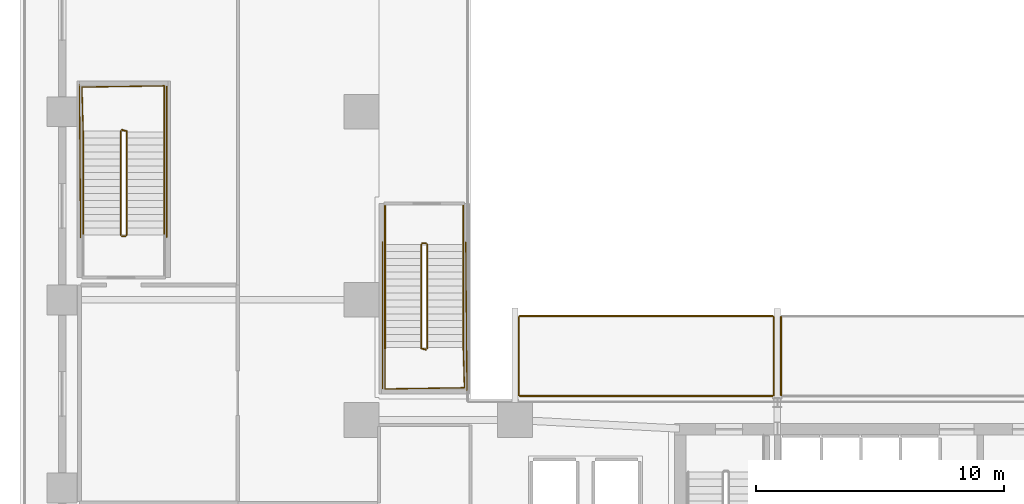
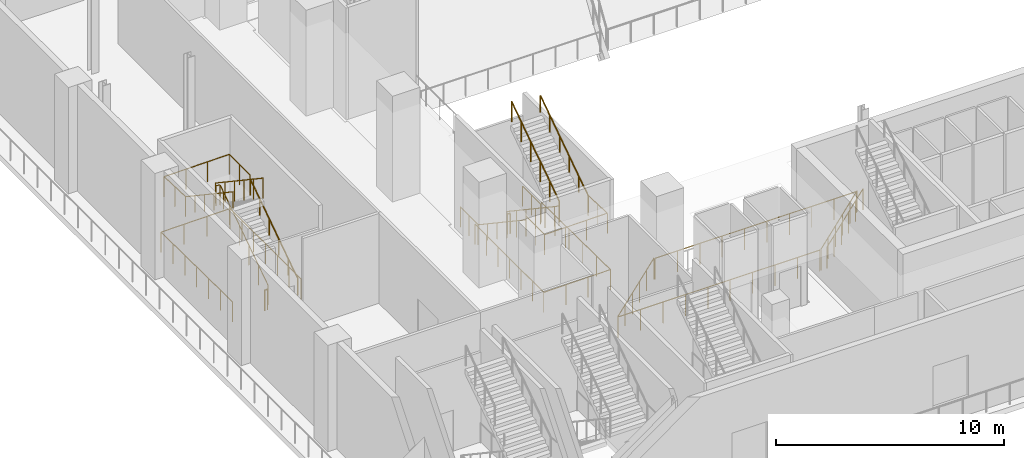
# One storey, part 17 of 30: 21 railings.
"""IFC4 building model written with IfcOpenShell, lengths in metres."""

from ifc_helpers import new_model, si_unit, direction, frame, origin, origin_2d, place, context, subcontext, project, spatial, circle, extrude, material, layer, layer_set, type_object, element, save


model = new_model("IFC4")

# Units and contexts
model_context = context("Model", 3, precision=1e-05, world=origin(), true_north=direction((0.0, 1.0)))
body_context = subcontext(model_context, "Body", "Model", "MODEL_VIEW")
ifc_project = project(units=[si_unit("LENGTHUNIT", "METRE"), si_unit("AREAUNIT", "SQUARE_METRE"), si_unit("VOLUMEUNIT", "CUBIC_METRE"), si_unit("PLANEANGLEUNIT", "RADIAN"), si_unit("MASSUNIT", "GRAM", prefix="KILO")], contexts=[model_context])

# Site, building, storey
site_placement = place(None, origin())
site = spatial("IfcSite", under=ifc_project, at=site_placement, CompositionType="ELEMENT")
building_placement = place(site_placement, origin())
building = spatial("IfcBuilding", under=site, at=building_placement, Name="Ndaravel Arena Tower", CompositionType="ELEMENT")
storey_placement = place(building_placement, frame((0.0, 0.0, 6.0)))
storey = spatial("IfcBuildingStorey", under=building, at=storey_placement, Name="L01", CompositionType="ELEMENT", Elevation=6.0)

# Railings
ifc_material_1 = material(Name="Steel S355", Category="steel")
ifc_layer_1 = layer(ifc_material_1, 0.06005859375)
ifc_layer_set_1 = layer_set([ifc_layer_1], Name="Steel S355")
railing_type_1 = type_object("IfcRailingType", Name="RAIL-STAIR-GD1100", PredefinedType="GUARDRAIL", material=ifc_layer_set_1)
railing_1_placement = place(storey_placement, frame((4.31005859375, 22.820068359375, 0.1875)))
element("IfcRailing", 1, at=railing_1_placement, inside=storey, type_object=railing_type_1, Name="L01 ST-A07 stair guard 1", PredefinedType="GUARDRAIL", context=body_context, shape_type="SweptSolid", body=[
    extrude(circle(Radius=0.02392578125, at=origin_2d()), frame((0.0, 0.0, 1.076171875), z_axis=(0.0, 0.830904186295, 0.556415522067), x_axis=(-1.0, 0.0, 0.0)), (0.0, 0.0, 1.0), 5.0546875),
    extrude(circle(Radius=0.02392578125, at=origin_2d()), frame((0.0, 4.199951171875, 3.888671875), z_axis=(-0.966993988697, 0.254799187253, 0.0), x_axis=(-0.254799187253, -0.966993988697, 0.0)), (0.0, 0.0, 1.0), 0.196533203125),
    extrude(circle(Radius=0.02099609375, at=origin_2d()), origin(), (0.0, 0.0, 1.0), 1.052001953125),
    extrude(circle(Radius=0.02099609375, at=origin_2d()), frame((0.0, 0.840087890625, 0.5625)), (0.0, 0.0, 1.0), 1.052001953125),
    extrude(circle(Radius=0.02099609375, at=origin_2d()), frame((0.0, 1.679931640625, 1.125)), (0.0, 0.0, 1.0), 1.052001953125),
    extrude(circle(Radius=0.02099609375, at=origin_2d()), frame((0.0, 2.52001953125, 1.6875)), (0.0, 0.0, 1.0), 1.052001953125),
    extrude(circle(Radius=0.02099609375, at=origin_2d()), frame((0.0, 3.35986328125, 2.25)), (0.0, 0.0, 1.0), 1.052001953125),
    extrude(circle(Radius=0.02099609375, at=origin_2d()), frame((0.0, 4.199951171875, 2.8125)), (0.0, 0.0, 1.0), 1.052001953125),
    extrude(circle(Radius=0.02099609375, at=origin_2d()), frame((-0.18994140625, 4.25, 2.8125)), (0.0, 0.0, 1.0), 1.052001953125),
])
railing_2_placement = place(storey_placement, frame((5.830078125, 27.02001953125, 3.0)))
element("IfcRailing", 2, at=railing_2_placement, inside=storey, type_object=railing_type_1, Name="L01 ST-A07 stair guard 2", PredefinedType="GUARDRAIL", context=body_context, shape_type="SweptSolid", body=[
    extrude(circle(Radius=0.02392578125, at=origin_2d()), frame((0.0, 0.0, 1.076171875), z_axis=(0.0, 1.0, 0.0), x_axis=(-1.0, 0.0, 0.0)), (0.0, 0.0, 1.0), 1.830078125),
    extrude(circle(Radius=0.02392578125, at=origin_2d()), frame((0.0, 1.830078125, 1.076171875), z_axis=(-0.999887078817, -0.015027628384, 0.0), x_axis=(0.015027628384, -0.999887078817, 0.0)), (0.0, 0.0, 1.0), 3.33056640625),
    extrude(circle(Radius=0.02392578125, at=origin_2d()), frame((-3.330078125, 1.780029296875, 1.076171875), z_axis=(0.028105748986, -0.999604955407, 0.0), x_axis=(0.999604955407, 0.028105748986, 0.0)), (0.0, 0.0, 1.0), 1.78076171875),
    extrude(circle(Radius=0.02099609375, at=origin_2d()), origin(), (0.0, 0.0, 1.0), 1.052001953125),
    extrude(circle(Radius=0.02099609375, at=origin_2d()), frame((0.0, 0.9150390625, 0.0)), (0.0, 0.0, 1.0), 1.052001953125),
    extrude(circle(Radius=0.02099609375, at=origin_2d()), frame((0.0, 1.830078125, 0.0)), (0.0, 0.0, 1.0), 1.052001953125),
    extrude(circle(Radius=0.02099609375, at=origin_2d()), frame((-1.110107421875, 1.8134765625, 0.0)), (0.0, 0.0, 1.0), 1.052001953125),
    extrude(circle(Radius=0.02099609375, at=origin_2d()), frame((-2.219970703125, 1.796630859375, 0.0)), (0.0, 0.0, 1.0), 1.052001953125),
    extrude(circle(Radius=0.02099609375, at=origin_2d()), frame((-3.330078125, 1.780029296875, 0.0)), (0.0, 0.0, 1.0), 1.052001953125),
    extrude(circle(Radius=0.02099609375, at=origin_2d()), frame((-3.30517578125, 0.89013671875, 0.0)), (0.0, 0.0, 1.0), 1.052001953125),
    extrude(circle(Radius=0.02099609375, at=origin_2d()), frame((-3.280029296875, 0.0, 0.0)), (0.0, 0.0, 1.0), 1.052001953125),
])
railing_3_placement = place(storey_placement, frame((4.070068359375, 27.02001953125, 3.1875)))
element("IfcRailing", 3, at=railing_3_placement, inside=storey, type_object=railing_type_1, Name="L01 ST-A07 stair guard 3", PredefinedType="GUARDRAIL", context=body_context, shape_type="SweptSolid", body=[
    extrude(circle(Radius=0.02392578125, at=origin_2d()), frame((0.0, 0.0, 1.076171875), z_axis=(0.0, -0.830904186295, 0.556415522067), x_axis=(1.0, 0.0, 0.0)), (0.0, 0.0, 1.0), 5.0546875),
    extrude(circle(Radius=0.02099609375, at=origin_2d()), origin(), (0.0, 0.0, 1.0), 1.052001953125),
    extrude(circle(Radius=0.02099609375, at=origin_2d()), frame((0.0, -0.840087890625, 0.5625)), (0.0, 0.0, 1.0), 1.052001953125),
    extrude(circle(Radius=0.02099609375, at=origin_2d()), frame((0.0, -1.679931640625, 1.125)), (0.0, 0.0, 1.0), 1.052001953125),
    extrude(circle(Radius=0.02099609375, at=origin_2d()), frame((0.0, -2.52001953125, 1.6875)), (0.0, 0.0, 1.0), 1.052001953125),
    extrude(circle(Radius=0.02099609375, at=origin_2d()), frame((0.0, -3.35986328125, 2.25)), (0.0, 0.0, 1.0), 1.052001953125),
    extrude(circle(Radius=0.02099609375, at=origin_2d()), frame((0.0, -4.199951171875, 2.8125)), (0.0, 0.0, 1.0), 1.052001953125),
])
railing_4_placement = place(storey_placement, frame((4.260009765625, 22.77001953125, 0.0)))
element("IfcRailing", 4, at=railing_4_placement, inside=storey, type_object=railing_type_1, Name="L01 ST-A07 stair guard 4", PredefinedType="GUARDRAIL", context=body_context, shape_type="SweptSolid", body=[
    extrude(circle(Radius=0.02392578125, at=origin_2d()), frame((0.0, 0.0, 1.076171875), z_axis=(-1.0, 0.0, 0.0), x_axis=(0.0, -1.0, 0.0)), (0.0, 0.0, 1.0), 0.139892578125),
    extrude(circle(Radius=0.02099609375, at=origin_2d()), origin(), (0.0, 0.0, 1.0), 1.052001953125),
    extrude(circle(Radius=0.02099609375, at=origin_2d()), frame((-0.139892578125, 0.0, 0.0)), (0.0, 0.0, 1.0), 1.052001953125),
])
railing_5_placement = place(storey_placement, frame((5.929931640625, 22.719970703125, 0.0)))
element("IfcRailing", 5, at=railing_5_placement, inside=storey, type_object=railing_type_1, Name="L01 ST-A07 stair guard 7", PredefinedType="GUARDRAIL", context=body_context, shape_type="SweptSolid", body=[
    extrude(circle(Radius=0.02392578125, at=origin_2d()), frame((0.0, 0.0, 1.076171875), z_axis=(0.0, 1.0, 0.0), x_axis=(-1.0, 0.0, 0.0)), (0.0, 0.0, 1.0), 6.22998046875),
    extrude(circle(Radius=0.02392578125, at=origin_2d()), frame((0.0, 6.22998046875, 1.076171875), z_axis=(-0.999899507016, -0.014176595818, 0.0), x_axis=(0.014176595818, -0.999899507016, 0.0)), (0.0, 0.0, 1.0), 3.5302734375),
    extrude(circle(Radius=0.02392578125, at=origin_2d()), frame((-3.530029296875, 6.179931640625, 1.076171875), z_axis=(0.008098339889, -0.999967207908, 0.0), x_axis=(0.999967207908, 0.008098339889, 0.0)), (0.0, 0.0, 1.0), 6.18017578125),
    extrude(circle(Radius=0.02099609375, at=origin_2d()), origin(), (0.0, 0.0, 1.0), 1.052001953125),
    extrude(circle(Radius=0.02099609375, at=origin_2d()), frame((0.0, 1.038330078125, 0.0)), (0.0, 0.0, 1.0), 1.052001953125),
    extrude(circle(Radius=0.02099609375, at=origin_2d()), frame((0.0, 2.07666015625, 0.0)), (0.0, 0.0, 1.0), 1.052001953125),
    extrude(circle(Radius=0.02099609375, at=origin_2d()), frame((0.0, 3.114990234375, 0.0)), (0.0, 0.0, 1.0), 1.052001953125),
    extrude(circle(Radius=0.02099609375, at=origin_2d()), frame((0.0, 4.1533203125, 0.0)), (0.0, 0.0, 1.0), 1.052001953125),
    extrude(circle(Radius=0.02099609375, at=origin_2d()), frame((0.0, 5.191650390625, 0.0)), (0.0, 0.0, 1.0), 1.052001953125),
    extrude(circle(Radius=0.02099609375, at=origin_2d()), frame((0.0, 6.22998046875, 0.0)), (0.0, 0.0, 1.0), 1.052001953125),
    extrude(circle(Radius=0.02099609375, at=origin_2d()), frame((-1.1767578125, 6.21337890625, 0.0)), (0.0, 0.0, 1.0), 1.052001953125),
    extrude(circle(Radius=0.02099609375, at=origin_2d()), frame((-2.353271484375, 6.196533203125, 0.0)), (0.0, 0.0, 1.0), 1.052001953125),
    extrude(circle(Radius=0.02099609375, at=origin_2d()), frame((-3.530029296875, 6.179931640625, 0.0)), (0.0, 0.0, 1.0), 1.052001953125),
    extrude(circle(Radius=0.02099609375, at=origin_2d()), frame((-3.521728515625, 5.14990234375, 0.0)), (0.0, 0.0, 1.0), 1.052001953125),
    extrude(circle(Radius=0.02099609375, at=origin_2d()), frame((-3.513427734375, 4.119873046875, 0.0)), (0.0, 0.0, 1.0), 1.052001953125),
    extrude(circle(Radius=0.02099609375, at=origin_2d()), frame((-3.5048828125, 3.08984375, 0.0)), (0.0, 0.0, 1.0), 1.052001953125),
    extrude(circle(Radius=0.02099609375, at=origin_2d()), frame((-3.49658203125, 2.06005859375, 0.0)), (0.0, 0.0, 1.0), 1.052001953125),
    extrude(circle(Radius=0.02099609375, at=origin_2d()), frame((-3.48828125, 1.030029296875, 0.0)), (0.0, 0.0, 1.0), 1.052001953125),
    extrude(circle(Radius=0.02099609375, at=origin_2d()), frame((-3.47998046875, 0.0, 0.0)), (0.0, 0.0, 1.0), 1.052001953125),
])
railing_6_placement = place(storey_placement, frame((16.2099609375, 22.43994140625, 0.1875)))
element("IfcRailing", 6, at=railing_6_placement, inside=storey, type_object=railing_type_1, Name="L01 ST-VOM-1 stair guard 1", PredefinedType="GUARDRAIL", context=body_context, shape_type="SweptSolid", body=[
    extrude(circle(Radius=0.02392578125, at=origin_2d()), frame((0.0, 0.0, 1.076171875), z_axis=(0.0, -0.830904186295, 0.556415522067), x_axis=(1.0, 0.0, 0.0)), (0.0, 0.0, 1.0), 5.0546875),
    extrude(circle(Radius=0.02392578125, at=origin_2d()), frame((0.0, -4.199951171875, 3.888671875), z_axis=(0.966993988697, -0.254799187253, 0.0), x_axis=(0.254799187253, 0.966993988697, 0.0)), (0.0, 0.0, 1.0), 0.196533203125),
    extrude(circle(Radius=0.02099609375, at=origin_2d()), origin(), (0.0, 0.0, 1.0), 1.052001953125),
    extrude(circle(Radius=0.02099609375, at=origin_2d()), frame((0.0, -0.840087890625, 0.5625)), (0.0, 0.0, 1.0), 1.052001953125),
    extrude(circle(Radius=0.02099609375, at=origin_2d()), frame((0.0, -1.679931640625, 1.125)), (0.0, 0.0, 1.0), 1.052001953125),
    extrude(circle(Radius=0.02099609375, at=origin_2d()), frame((0.0, -2.52001953125, 1.6875)), (0.0, 0.0, 1.0), 1.052001953125),
    extrude(circle(Radius=0.02099609375, at=origin_2d()), frame((0.0, -3.35986328125, 2.25)), (0.0, 0.0, 1.0), 1.052001953125),
    extrude(circle(Radius=0.02099609375, at=origin_2d()), frame((0.0, -4.199951171875, 2.8125)), (0.0, 0.0, 1.0), 1.052001953125),
    extrude(circle(Radius=0.02099609375, at=origin_2d()), frame((0.18994140625, -4.25, 2.8125)), (0.0, 0.0, 1.0), 1.052001953125),
])
railing_7_placement = place(storey_placement, frame((14.75, 18.239990234375, 3.0)))
element("IfcRailing", 7, at=railing_7_placement, inside=storey, type_object=railing_type_1, Name="L01 ST-VOM-1 stair guard 2", PredefinedType="GUARDRAIL", context=body_context, shape_type="SweptSolid", body=[
    extrude(circle(Radius=0.02392578125, at=origin_2d()), frame((0.0, 0.0, 1.076171875), z_axis=(0.0, -1.0, 0.0), x_axis=(1.0, 0.0, 0.0)), (0.0, 0.0, 1.0), 1.639892578125),
    extrude(circle(Radius=0.02392578125, at=origin_2d()), frame((0.0, -1.639892578125, 1.076171875), z_axis=(0.999879653755, 0.01551380053, 0.0), x_axis=(-0.01551380053, 0.999879653755, 0.0)), (0.0, 0.0, 1.0), 3.21044921875),
    extrude(circle(Radius=0.02392578125, at=origin_2d()), frame((3.2099609375, -1.590087890625, 1.076171875), z_axis=(-0.031459930577, 0.999505013878, 0.0), x_axis=(-0.999505013878, -0.031459930577, 0.0)), (0.0, 0.0, 1.0), 1.5908203125),
    extrude(circle(Radius=0.02099609375, at=origin_2d()), origin(), (0.0, 0.0, 1.0), 1.052001953125),
    extrude(circle(Radius=0.02099609375, at=origin_2d()), frame((0.0, -0.81982421875, 0.0)), (0.0, 0.0, 1.0), 1.052001953125),
    extrude(circle(Radius=0.02099609375, at=origin_2d()), frame((0.0, -1.639892578125, 0.0)), (0.0, 0.0, 1.0), 1.052001953125),
    extrude(circle(Radius=0.02099609375, at=origin_2d()), frame((1.070068359375, -1.623291015625, 0.0)), (0.0, 0.0, 1.0), 1.052001953125),
    extrude(circle(Radius=0.02099609375, at=origin_2d()), frame((2.139892578125, -1.606689453125, 0.0)), (0.0, 0.0, 1.0), 1.052001953125),
    extrude(circle(Radius=0.02099609375, at=origin_2d()), frame((3.2099609375, -1.590087890625, 0.0)), (0.0, 0.0, 1.0), 1.052001953125),
    extrude(circle(Radius=0.02099609375, at=origin_2d()), frame((3.18505859375, -0.794921875, 0.0)), (0.0, 0.0, 1.0), 1.052001953125),
    extrude(circle(Radius=0.02099609375, at=origin_2d()), frame((3.159912109375, 0.0, 0.0)), (0.0, 0.0, 1.0), 1.052001953125),
])
railing_8_placement = place(storey_placement, frame((16.449951171875, 18.239990234375, 3.1875)))
element("IfcRailing", 8, at=railing_8_placement, inside=storey, type_object=railing_type_1, Name="L01 ST-VOM-1 stair guard 3", PredefinedType="GUARDRAIL", context=body_context, shape_type="SweptSolid", body=[
    extrude(circle(Radius=0.02392578125, at=origin_2d()), frame((0.0, 0.0, 1.076171875), z_axis=(0.0, 0.830904186295, 0.556415522067), x_axis=(-1.0, 0.0, 0.0)), (0.0, 0.0, 1.0), 5.0546875),
    extrude(circle(Radius=0.02099609375, at=origin_2d()), origin(), (0.0, 0.0, 1.0), 1.052001953125),
    extrude(circle(Radius=0.02099609375, at=origin_2d()), frame((0.0, 0.840087890625, 0.5625)), (0.0, 0.0, 1.0), 1.052001953125),
    extrude(circle(Radius=0.02099609375, at=origin_2d()), frame((0.0, 1.679931640625, 1.125)), (0.0, 0.0, 1.0), 1.052001953125),
    extrude(circle(Radius=0.02099609375, at=origin_2d()), frame((0.0, 2.52001953125, 1.6875)), (0.0, 0.0, 1.0), 1.052001953125),
    extrude(circle(Radius=0.02099609375, at=origin_2d()), frame((0.0, 3.35986328125, 2.25)), (0.0, 0.0, 1.0), 1.052001953125),
    extrude(circle(Radius=0.02099609375, at=origin_2d()), frame((0.0, 4.199951171875, 2.8125)), (0.0, 0.0, 1.0), 1.052001953125),
])
railing_9_placement = place(storey_placement, frame((16.260009765625, 22.489990234375, 0.0)))
element("IfcRailing", 9, at=railing_9_placement, inside=storey, type_object=railing_type_1, Name="L01 ST-VOM-1 stair guard 4", PredefinedType="GUARDRAIL", context=body_context, shape_type="SweptSolid", body=[
    extrude(circle(Radius=0.02392578125, at=origin_2d()), frame((0.0, 0.0, 1.076171875), z_axis=(1.0, 0.0, 0.0), x_axis=(0.0, 1.0, 0.0)), (0.0, 0.0, 1.0), 0.139892578125),
    extrude(circle(Radius=0.02099609375, at=origin_2d()), origin(), (0.0, 0.0, 1.0), 1.052001953125),
    extrude(circle(Radius=0.02099609375, at=origin_2d()), frame((0.139892578125, 0.0, 0.0)), (0.0, 0.0, 1.0), 1.052001953125),
])
for number, where, name in (
    (10, (14.75, 24.0, 0.0), "L01 ST-VOM-1 stair guard 5"),
    (11, (17.909912109375, 24.0, 0.0), "L01 ST-VOM-1 stair guard 6"),
):
    element("IfcRailing", number, at=place(storey_placement, frame(where)), inside=storey, type_object=railing_type_1, Name=name, PredefinedType="GUARDRAIL", context=body_context, shape_type="SweptSolid", body=[
        extrude(circle(Radius=0.02392578125, at=origin_2d()), frame((0.0, 0.0, 1.076171875), z_axis=(0.0, -1.0, 0.0), x_axis=(1.0, 0.0, 0.0)), (0.0, 0.0, 1.0), 1.56005859375),
        extrude(circle(Radius=0.02099609375, at=origin_2d()), origin(), (0.0, 0.0, 1.0), 1.052001953125),
        extrude(circle(Radius=0.02099609375, at=origin_2d()), frame((0.0, -0.780029296875, 0.0)), (0.0, 0.0, 1.0), 1.052001953125),
        extrude(circle(Radius=0.02099609375, at=origin_2d()), frame((0.0, -1.56005859375, 0.0)), (0.0, 0.0, 1.0), 1.052001953125),
    ])
railing_10_placement = place(storey_placement, frame((14.64990234375, 22.5400390625, 0.0)))
element("IfcRailing", 12, at=railing_10_placement, inside=storey, type_object=railing_type_1, Name="L01 ST-VOM-1 stair guard 7", PredefinedType="GUARDRAIL", context=body_context, shape_type="SweptSolid", body=[
    extrude(circle(Radius=0.02392578125, at=origin_2d()), frame((0.0, 0.0, 1.076171875), z_axis=(0.0, -1.0, 0.0), x_axis=(1.0, 0.0, 0.0)), (0.0, 0.0, 1.0), 6.0400390625),
    extrude(circle(Radius=0.02392578125, at=origin_2d()), frame((0.0, -6.0400390625, 1.076171875), z_axis=(0.99989231899, 0.014674822837, 0.0), x_axis=(-0.014674822837, 0.99989231899, 0.0)), (0.0, 0.0, 1.0), 3.41064453125),
    extrude(circle(Radius=0.02392578125, at=origin_2d()), frame((3.41015625, -5.989990234375, 1.076171875), z_axis=(-0.008355118995, 0.999965095384, 0.0), x_axis=(-0.999965095384, -0.008355118995, 0.0)), (0.0, 0.0, 1.0), 5.990234375),
    extrude(circle(Radius=0.02099609375, at=origin_2d()), origin(), (0.0, 0.0, 1.0), 1.052001953125),
    extrude(circle(Radius=0.02099609375, at=origin_2d()), frame((0.0, -1.006591796875, 0.0)), (0.0, 0.0, 1.0), 1.052001953125),
    extrude(circle(Radius=0.02099609375, at=origin_2d()), frame((0.0, -2.013427734375, 0.0)), (0.0, 0.0, 1.0), 1.052001953125),
    extrude(circle(Radius=0.02099609375, at=origin_2d()), frame((0.0, -3.02001953125, 0.0)), (0.0, 0.0, 1.0), 1.052001953125),
    extrude(circle(Radius=0.02099609375, at=origin_2d()), frame((0.0, -4.026611328125, 0.0)), (0.0, 0.0, 1.0), 1.052001953125),
    extrude(circle(Radius=0.02099609375, at=origin_2d()), frame((0.0, -5.033447265625, 0.0)), (0.0, 0.0, 1.0), 1.052001953125),
    extrude(circle(Radius=0.02099609375, at=origin_2d()), frame((0.0, -6.0400390625, 0.0)), (0.0, 0.0, 1.0), 1.052001953125),
    extrude(circle(Radius=0.02099609375, at=origin_2d()), frame((1.13671875, -6.0234375, 0.0)), (0.0, 0.0, 1.0), 1.052001953125),
    extrude(circle(Radius=0.02099609375, at=origin_2d()), frame((2.2734375, -6.006591796875, 0.0)), (0.0, 0.0, 1.0), 1.052001953125),
    extrude(circle(Radius=0.02099609375, at=origin_2d()), frame((3.41015625, -5.989990234375, 0.0)), (0.0, 0.0, 1.0), 1.052001953125),
    extrude(circle(Radius=0.02099609375, at=origin_2d()), frame((3.400146484375, -4.7919921875, 0.0)), (0.0, 0.0, 1.0), 1.052001953125),
    extrude(circle(Radius=0.02099609375, at=origin_2d()), frame((3.39013671875, -3.593994140625, 0.0)), (0.0, 0.0, 1.0), 1.052001953125),
    extrude(circle(Radius=0.02099609375, at=origin_2d()), frame((3.380126953125, -2.39599609375, 0.0)), (0.0, 0.0, 1.0), 1.052001953125),
    extrude(circle(Radius=0.02099609375, at=origin_2d()), frame((3.3701171875, -1.197998046875, 0.0)), (0.0, 0.0, 1.0), 1.052001953125),
    extrude(circle(Radius=0.02099609375, at=origin_2d()), frame((3.360107421875, 0.0, 0.0)), (0.0, 0.0, 1.0), 1.052001953125),
])
ifc_material_2 = material(Name="Steel S355", Category="steel")
ifc_layer_2 = layer(ifc_material_2, 0.050048828125)
ifc_layer_set_2 = layer_set([ifc_layer_2], Name="Steel S355")
railing_type_2 = type_object("IfcRailingType", Name="RAIL-STAIR-HR920", PredefinedType="HANDRAIL", material=ifc_layer_set_2)
railing_11_placement = place(storey_placement, frame((5.830078125, 22.820068359375, 0.1875)))
element("IfcRailing", 13, at=railing_11_placement, inside=storey, type_object=railing_type_2, Name="L01 ST-A07 stair handrail 1", PredefinedType="HANDRAIL", context=body_context, shape_type="SweptSolid", body=[
    extrude(circle(Radius=0.02392578125, at=origin_2d()), frame((0.0, 0.0, 0.8759765625), z_axis=(0.0, 0.830904186295, 0.556415522067), x_axis=(-1.0, 0.0, 0.0)), (0.0, 0.0, 1.0), 5.0546875),
    extrude(circle(Radius=0.02099609375, at=origin_2d()), origin(), (0.0, 0.0, 1.0), 0.851806640625),
    extrude(circle(Radius=0.02099609375, at=origin_2d()), frame((0.0, 0.840087890625, 0.5625)), (0.0, 0.0, 1.0), 0.851806640625),
    extrude(circle(Radius=0.02099609375, at=origin_2d()), frame((0.0, 1.679931640625, 1.125)), (0.0, 0.0, 1.0), 0.851806640625),
    extrude(circle(Radius=0.02099609375, at=origin_2d()), frame((0.0, 2.52001953125, 1.6875)), (0.0, 0.0, 1.0), 0.851806640625),
    extrude(circle(Radius=0.02099609375, at=origin_2d()), frame((0.0, 3.35986328125, 2.25)), (0.0, 0.0, 1.0), 0.851806640625),
    extrude(circle(Radius=0.02099609375, at=origin_2d()), frame((0.0, 4.199951171875, 2.8125)), (0.0, 0.0, 1.0), 0.851806640625),
])
for number, where, name in (
    (14, (2.550048828125, 27.02001953125, 3.1875), "L01 ST-A07 stair handrail 2"),
    (15, (14.75, 22.43994140625, 0.1875), "L01 ST-VOM-1 stair handrail 1"),
):
    element("IfcRailing", number, at=place(storey_placement, frame(where)), inside=storey, type_object=railing_type_2, Name=name, PredefinedType="HANDRAIL", context=body_context, shape_type="SweptSolid", body=[
        extrude(circle(Radius=0.02392578125, at=origin_2d()), frame((0.0, 0.0, 0.8759765625), z_axis=(0.0, -0.830904186295, 0.556415522067), x_axis=(1.0, 0.0, 0.0)), (0.0, 0.0, 1.0), 5.0546875),
        extrude(circle(Radius=0.02099609375, at=origin_2d()), origin(), (0.0, 0.0, 1.0), 0.851806640625),
        extrude(circle(Radius=0.02099609375, at=origin_2d()), frame((0.0, -0.840087890625, 0.5625)), (0.0, 0.0, 1.0), 0.851806640625),
        extrude(circle(Radius=0.02099609375, at=origin_2d()), frame((0.0, -1.679931640625, 1.125)), (0.0, 0.0, 1.0), 0.851806640625),
        extrude(circle(Radius=0.02099609375, at=origin_2d()), frame((0.0, -2.52001953125, 1.6875)), (0.0, 0.0, 1.0), 0.851806640625),
        extrude(circle(Radius=0.02099609375, at=origin_2d()), frame((0.0, -3.35986328125, 2.25)), (0.0, 0.0, 1.0), 0.851806640625),
        extrude(circle(Radius=0.02099609375, at=origin_2d()), frame((0.0, -4.199951171875, 2.8125)), (0.0, 0.0, 1.0), 0.851806640625),
    ])
railing_12_placement = place(storey_placement, frame((17.909912109375, 18.239990234375, 3.1875)))
element("IfcRailing", 16, at=railing_12_placement, inside=storey, type_object=railing_type_2, Name="L01 ST-VOM-1 stair handrail 2", PredefinedType="HANDRAIL", context=body_context, shape_type="SweptSolid", body=[
    extrude(circle(Radius=0.02392578125, at=origin_2d()), frame((0.0, 0.0, 0.8759765625), z_axis=(0.0, 0.830904186295, 0.556415522067), x_axis=(-1.0, 0.0, 0.0)), (0.0, 0.0, 1.0), 5.0546875),
    extrude(circle(Radius=0.02099609375, at=origin_2d()), origin(), (0.0, 0.0, 1.0), 0.851806640625),
    extrude(circle(Radius=0.02099609375, at=origin_2d()), frame((0.0, 0.840087890625, 0.5625)), (0.0, 0.0, 1.0), 0.851806640625),
    extrude(circle(Radius=0.02099609375, at=origin_2d()), frame((0.0, 1.679931640625, 1.125)), (0.0, 0.0, 1.0), 0.851806640625),
    extrude(circle(Radius=0.02099609375, at=origin_2d()), frame((0.0, 2.52001953125, 1.6875)), (0.0, 0.0, 1.0), 0.851806640625),
    extrude(circle(Radius=0.02099609375, at=origin_2d()), frame((0.0, 3.35986328125, 2.25)), (0.0, 0.0, 1.0), 0.851806640625),
    extrude(circle(Radius=0.02099609375, at=origin_2d()), frame((0.0, 4.199951171875, 2.8125)), (0.0, 0.0, 1.0), 0.851806640625),
])
ifc_material_3 = material(Name="Glazing", Category="glass")
ifc_layer_3 = layer(ifc_material_3, 0.070068359375)
ifc_layer_set_3 = layer_set([ifc_layer_3], Name="Glazing")
railing_type_3 = type_object("IfcRailingType", Name="RAIL-TERRACE-1150", PredefinedType="BALUSTRADE", material=ifc_layer_set_3)
railing_13_placement = place(storey_placement, frame((20.14990234375, 16.35009765625, -0.050048828125)))
element("IfcRailing", 17, at=railing_13_placement, inside=storey, type_object=railing_type_3, Name="L01 Lower South Stand Guard 1W", PredefinedType="BALUSTRADE", context=body_context, shape_type="SweptSolid", body=[
    extrude(circle(Radius=0.02392578125, at=origin_2d()), frame((0.0, 0.0, 1.1259765625), z_axis=(0.0, 0.531193675034, -0.847250423195), x_axis=(-1.0, 0.0, 0.0)), (0.0, 0.0, 1.0), 5.94873046875),
    extrude(circle(Radius=0.02099609375, at=origin_2d()), origin(), (0.0, 0.0, 1.0), 1.101806640625),
    extrude(circle(Radius=0.02099609375, at=origin_2d()), frame((0.0, 0.632080078125, -1.008056640625)), (0.0, 0.0, 1.0), 1.101806640625),
    extrude(circle(Radius=0.02099609375, at=origin_2d()), frame((0.0, 1.263916015625, -2.01611328125)), (0.0, 0.0, 1.0), 1.101806640625),
    extrude(circle(Radius=0.02099609375, at=origin_2d()), frame((0.0, 1.89599609375, -3.02392578125)), (0.0, 0.0, 1.0), 1.101806640625),
    extrude(circle(Radius=0.02099609375, at=origin_2d()), frame((0.0, 2.52783203125, -4.031982421875)), (0.0, 0.0, 1.0), 1.101806640625),
    extrude(circle(Radius=0.02099609375, at=origin_2d()), frame((0.0, 3.159912109375, -5.0400390625)), (0.0, 0.0, 1.0), 1.101806640625),
])
railing_14_placement = place(storey_placement, frame((20.18994140625, 19.550048828125, -5.14990234375)))
element("IfcRailing", 18, at=railing_14_placement, inside=storey, type_object=railing_type_3, Name="L01 Lower South Stand Guard 1F", PredefinedType="BALUSTRADE", context=body_context, shape_type="SweptSolid", body=[
    extrude(circle(Radius=0.02392578125, at=origin_2d()), frame((0.0, 0.0, 1.1259765625), z_axis=(1.0, 0.0, 0.0), x_axis=(0.0, 1.0, 0.0)), (0.0, 0.0, 1.0), 10.219970703125),
    extrude(circle(Radius=0.02099609375, at=origin_2d()), origin(), (0.0, 0.0, 1.0), 1.101806640625),
    extrude(circle(Radius=0.02099609375, at=origin_2d()), frame((1.135498046875, 0.0, 0.0)), (0.0, 0.0, 1.0), 1.101806640625),
    extrude(circle(Radius=0.02099609375, at=origin_2d()), frame((2.27099609375, 0.0, 0.0)), (0.0, 0.0, 1.0), 1.101806640625),
    extrude(circle(Radius=0.02099609375, at=origin_2d()), frame((3.40673828125, 0.0, 0.0)), (0.0, 0.0, 1.0), 1.101806640625),
    extrude(circle(Radius=0.02099609375, at=origin_2d()), frame((4.542236328125, 0.0, 0.0)), (0.0, 0.0, 1.0), 1.101806640625),
    extrude(circle(Radius=0.02099609375, at=origin_2d()), frame((5.677734375, 0.0, 0.0)), (0.0, 0.0, 1.0), 1.101806640625),
    extrude(circle(Radius=0.02099609375, at=origin_2d()), frame((6.813232421875, 0.0, 0.0)), (0.0, 0.0, 1.0), 1.101806640625),
    extrude(circle(Radius=0.02099609375, at=origin_2d()), frame((7.948974609375, 0.0, 0.0)), (0.0, 0.0, 1.0), 1.101806640625),
    extrude(circle(Radius=0.02099609375, at=origin_2d()), frame((9.08447265625, 0.0, 0.0)), (0.0, 0.0, 1.0), 1.101806640625),
    extrude(circle(Radius=0.02099609375, at=origin_2d()), frame((10.219970703125, 0.0, 0.0)), (0.0, 0.0, 1.0), 1.101806640625),
])
railing_15_placement = place(storey_placement, frame((30.449951171875, 19.510009765625, -5.090087890625)))
element("IfcRailing", 19, at=railing_15_placement, inside=storey, type_object=railing_type_3, Name="L01 Lower South Stand Guard 1E", PredefinedType="BALUSTRADE", context=body_context, shape_type="SweptSolid", body=[
    extrude(circle(Radius=0.02392578125, at=origin_2d()), frame((0.0, 0.0, 1.1259765625), z_axis=(0.0, -0.531193675034, 0.847250423195), x_axis=(1.0, 0.0, 0.0)), (0.0, 0.0, 1.0), 5.94873046875),
    extrude(circle(Radius=0.02099609375, at=origin_2d()), origin(), (0.0, 0.0, 1.0), 1.101806640625),
    extrude(circle(Radius=0.02099609375, at=origin_2d()), frame((0.0, -0.632080078125, 1.008056640625)), (0.0, 0.0, 1.0), 1.101806640625),
    extrude(circle(Radius=0.02099609375, at=origin_2d()), frame((0.0, -1.263916015625, 2.01611328125)), (0.0, 0.0, 1.0), 1.101806640625),
    extrude(circle(Radius=0.02099609375, at=origin_2d()), frame((0.0, -1.89599609375, 3.02392578125)), (0.0, 0.0, 1.0), 1.101806640625),
    extrude(circle(Radius=0.02099609375, at=origin_2d()), frame((0.0, -2.52783203125, 4.031982421875)), (0.0, 0.0, 1.0), 1.101806640625),
    extrude(circle(Radius=0.02099609375, at=origin_2d()), frame((0.0, -3.159912109375, 5.0400390625)), (0.0, 0.0, 1.0), 1.101806640625),
])
railing_16_placement = place(storey_placement, frame((20.18994140625, 16.320068359375, -0.050048828125)))
element("IfcRailing", 20, at=railing_16_placement, inside=storey, type_object=railing_type_3, Name="L01 Lower South Stand Guard 1T", PredefinedType="BALUSTRADE", context=body_context, shape_type="SweptSolid", body=[
    extrude(circle(Radius=0.02392578125, at=origin_2d()), frame((0.0, 0.0, 1.1259765625), z_axis=(1.0, 0.0, 0.0), x_axis=(0.0, 1.0, 0.0)), (0.0, 0.0, 1.0), 10.219970703125),
    extrude(circle(Radius=0.02099609375, at=origin_2d()), origin(), (0.0, 0.0, 1.0), 1.101806640625),
    extrude(circle(Radius=0.02099609375, at=origin_2d()), frame((1.135498046875, 0.0, 0.0)), (0.0, 0.0, 1.0), 1.101806640625),
    extrude(circle(Radius=0.02099609375, at=origin_2d()), frame((2.27099609375, 0.0, 0.0)), (0.0, 0.0, 1.0), 1.101806640625),
    extrude(circle(Radius=0.02099609375, at=origin_2d()), frame((3.40673828125, 0.0, 0.0)), (0.0, 0.0, 1.0), 1.101806640625),
    extrude(circle(Radius=0.02099609375, at=origin_2d()), frame((4.542236328125, 0.0, 0.0)), (0.0, 0.0, 1.0), 1.101806640625),
    extrude(circle(Radius=0.02099609375, at=origin_2d()), frame((5.677734375, 0.0, 0.0)), (0.0, 0.0, 1.0), 1.101806640625),
    extrude(circle(Radius=0.02099609375, at=origin_2d()), frame((6.813232421875, 0.0, 0.0)), (0.0, 0.0, 1.0), 1.101806640625),
    extrude(circle(Radius=0.02099609375, at=origin_2d()), frame((7.948974609375, 0.0, 0.0)), (0.0, 0.0, 1.0), 1.101806640625),
    extrude(circle(Radius=0.02099609375, at=origin_2d()), frame((9.08447265625, 0.0, 0.0)), (0.0, 0.0, 1.0), 1.101806640625),
    extrude(circle(Radius=0.02099609375, at=origin_2d()), frame((10.219970703125, 0.0, 0.0)), (0.0, 0.0, 1.0), 1.101806640625),
])
railing_17_placement = place(storey_placement, frame((30.75, 16.35009765625, -0.050048828125)))
element("IfcRailing", 21, at=railing_17_placement, inside=storey, type_object=railing_type_3, Name="L01 Lower South Stand Guard 2W", PredefinedType="BALUSTRADE", context=body_context, shape_type="SweptSolid", body=[
    extrude(circle(Radius=0.02392578125, at=origin_2d()), frame((0.0, 0.0, 1.1259765625), z_axis=(0.0, 0.531193675034, -0.847250423195), x_axis=(-1.0, 0.0, 0.0)), (0.0, 0.0, 1.0), 5.94873046875),
    extrude(circle(Radius=0.02099609375, at=origin_2d()), origin(), (0.0, 0.0, 1.0), 1.101806640625),
    extrude(circle(Radius=0.02099609375, at=origin_2d()), frame((0.0, 0.632080078125, -1.008056640625)), (0.0, 0.0, 1.0), 1.101806640625),
    extrude(circle(Radius=0.02099609375, at=origin_2d()), frame((0.0, 1.263916015625, -2.01611328125)), (0.0, 0.0, 1.0), 1.101806640625),
    extrude(circle(Radius=0.02099609375, at=origin_2d()), frame((0.0, 1.89599609375, -3.02392578125)), (0.0, 0.0, 1.0), 1.101806640625),
    extrude(circle(Radius=0.02099609375, at=origin_2d()), frame((0.0, 2.52783203125, -4.031982421875)), (0.0, 0.0, 1.0), 1.101806640625),
    extrude(circle(Radius=0.02099609375, at=origin_2d()), frame((0.0, 3.159912109375, -5.0400390625)), (0.0, 0.0, 1.0), 1.101806640625),
])

save(model, "model.ifc")
